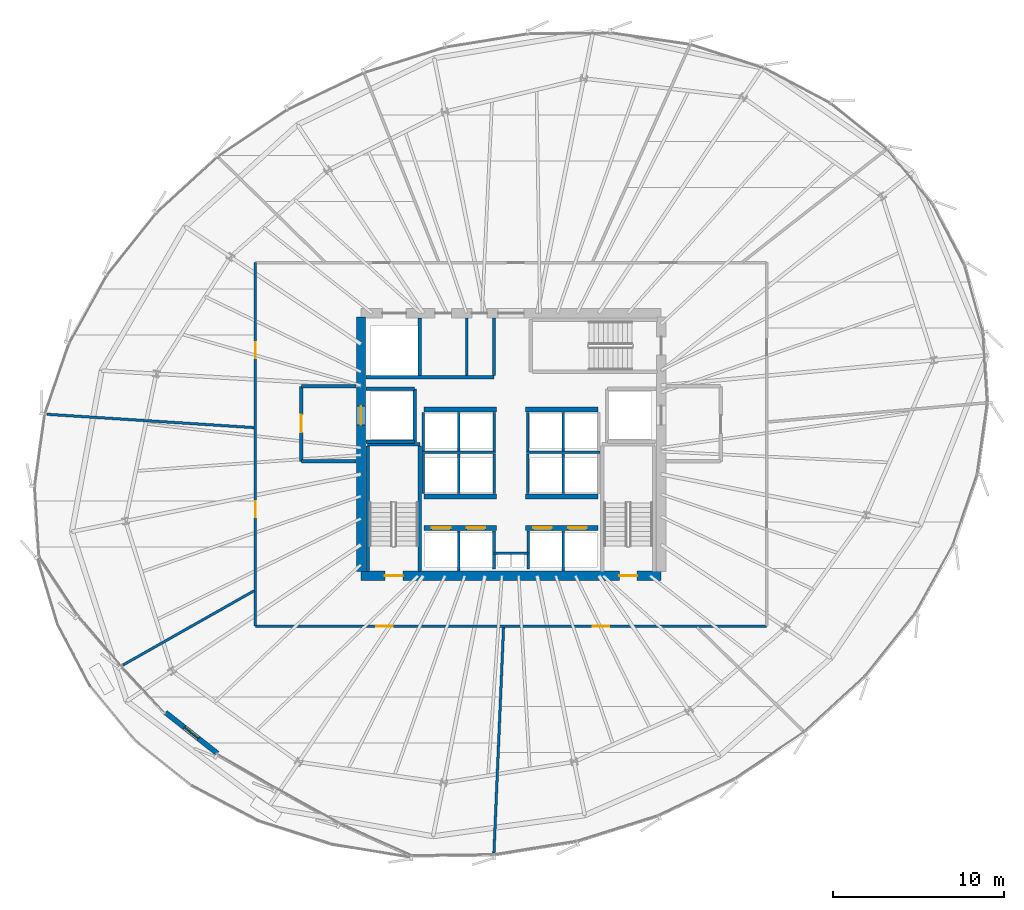
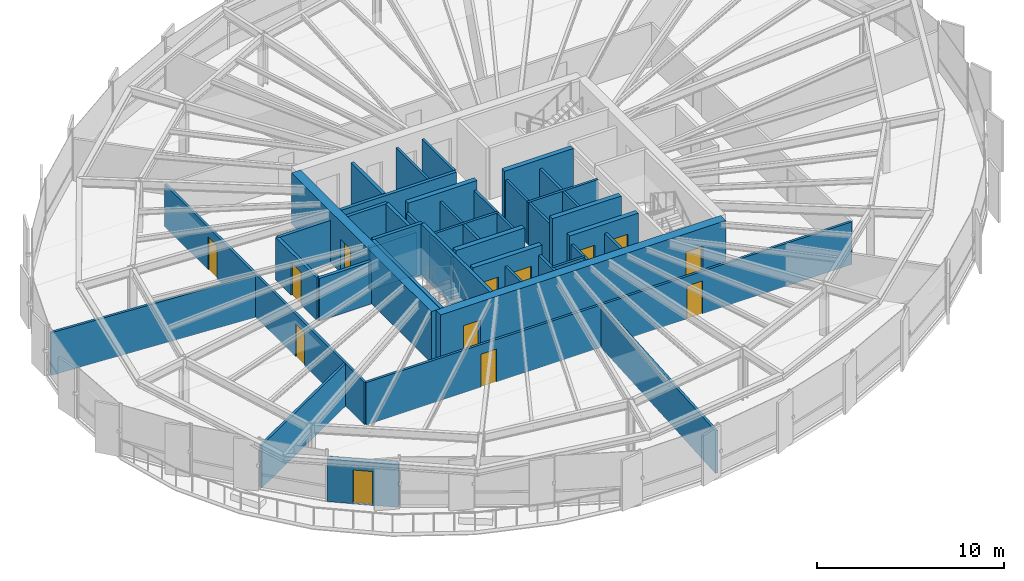
# One storey, part 29 of 35: 44 walls, 13 doors, 13 openings.
"""IFC4 building model written with IfcOpenShell, lengths in metres."""

from ifc_helpers import new_model, si_unit, direction, frame, frame_2d, origin, place, context, subcontext, project, spatial, rectangle, extrude, source, transform, mapped, material, layer, layer_set, type_object, element, fill, save


model = new_model("IFC4")

# Units and contexts
model_context = context("Model", 3, precision=1e-05, world=origin(), true_north=direction((0.0, 1.0)))
body_context = subcontext(model_context, "Body", "Model", "MODEL_VIEW")
ifc_project = project(units=[si_unit("LENGTHUNIT", "METRE"), si_unit("AREAUNIT", "SQUARE_METRE"), si_unit("VOLUMEUNIT", "CUBIC_METRE"), si_unit("PLANEANGLEUNIT", "RADIAN"), si_unit("MASSUNIT", "GRAM", prefix="KILO"), si_unit("THERMODYNAMICTEMPERATUREUNIT", "KELVIN")], contexts=[model_context])

# Site, building, storey
site_placement = place(None, origin())
site = spatial("IfcSite", under=ifc_project, at=site_placement, CompositionType="ELEMENT")
building_placement = place(site_placement, origin())
building = spatial("IfcBuilding", under=site, at=building_placement, Name="Kethvar Cultural Tower", CompositionType="ELEMENT")
storey_placement = place(building_placement, frame((0.0, 0.0, 121.60009765625)))
storey = spatial("IfcBuildingStorey", under=building, at=storey_placement, Name="L30", CompositionType="ELEMENT", Elevation=121.60009765625)

# Wall, openings, doors
ifc_material_1 = material(Name="Concrete C60/75", Category="concrete")
ifc_layer_1 = layer(ifc_material_1, 0.550048828125, Name="Concrete C60/75", Category="concrete")
ifc_layer_set_1 = layer_set([ifc_layer_1], Name="Concrete C60/75 (550 mm)")
wall_type_1 = type_object("IfcWallType", Name="WL-CORE-550", PredefinedType="SHEAR", material=ifc_layer_set_1)
wall_1_placement = place(storey_placement, frame((38.0, 20.10009765625, 0.0), z_axis=(0.0, 0.0, 1.0), x_axis=(1.0, 0.0, 0.0)))
wall_1 = element("IfcWall", 1, at=wall_1_placement, inside=storey, type_object=wall_type_1, Name="L30 Core Shear Wall S", PredefinedType="SHEAR", context=body_context, shape_type="SweptSolid", body=[
    extrude(rectangle(XDim=17.60009765625, YDim=0.550048828125, at=frame_2d((8.800048828125, 0.0))), origin(), (0.0, 0.0, 1.0), 3.349853515625),
])
opening_1_placement = place(wall_1_placement, frame((1.39990234375, 0.0, 0.0)))
opening_1 = element("IfcOpeningElement", 2, at=opening_1_placement, cuts=wall_1, Name="Opening D-L30-S1", PredefinedType="OPENING", context=body_context, shape_type="SweptSolid", body=[
    extrude(rectangle(XDim=1.050048828125, YDim=2.14990234375, at=frame_2d((0.52490234375, 1.074951171875))), frame((0.0, 0.284912109375, 0.0), z_axis=(0.0, -1.0, 0.0), x_axis=(1.0, 0.0, 0.0)), (0.0, 0.0, 1.0), 0.570068359375),
])
opening_2_placement = place(wall_1_placement, frame((15.14990234375, 0.0, 0.0)))
opening_2 = element("IfcOpeningElement", 3, at=opening_2_placement, cuts=wall_1, Name="Opening D-L30-ST2", PredefinedType="OPENING", context=body_context, shape_type="SweptSolid", body=[
    extrude(rectangle(XDim=1.050048828125, YDim=2.14990234375, at=frame_2d((0.52490234375, 1.074951171875))), frame((0.0, 0.284912109375, 0.0), z_axis=(0.0, -1.0, 0.0), x_axis=(1.0, 0.0, 0.0)), (0.0, 0.0, 1.0), 0.570068359375),
])
ifc_material_2 = material(Name="Steel S355J2", Category="steel")
door_type_1 = type_object("IfcDoorType", Name="DR-FD60-1050", OperationType="NOTDEFINED", PredefinedType="DOOR", material=ifc_material_2)
shared_shape_1 = source(origin(), body_context, "Body", "SweptSolid", [
    extrude(rectangle(XDim=1.050048828125, YDim=2.14990234375, at=frame_2d((0.52490234375, 1.074951171875))), frame((0.0, 0.02490234375, 0.0), z_axis=(0.0, -1.0, 0.0), x_axis=(1.0, 0.0, 0.0)), (0.0, 0.0, 1.0), 0.050048828125),
])
door_1_placement = place(opening_1_placement, origin())
door_1 = element("IfcDoor", 4, at=door_1_placement, inside=storey, type_object=door_type_1, Name="L30 Exit Stair 1 Door", OperationType="SINGLE_SWING_LEFT", OverallHeight=2.14990234375, OverallWidth=1.050048828125, PredefinedType="DOOR", context=body_context, shape_type="MappedRepresentation", body=[
    mapped(shared_shape_1, transform((0.0, 0.0, 0.0), scale=1.0)),
])
fill(opening_1, door_1)
door_2_placement = place(opening_2_placement, origin())
door_2 = element("IfcDoor", 5, at=door_2_placement, inside=storey, type_object=door_type_1, Name="L30 Exit Stair 2 Door", OperationType="SINGLE_SWING_RIGHT", OverallHeight=2.14990234375, OverallWidth=1.050048828125, PredefinedType="DOOR", context=body_context, shape_type="MappedRepresentation", body=[
    mapped(shared_shape_1, transform((0.0, 0.0, 0.0), scale=1.0)),
])
fill(opening_2, door_2)

# Wall, opening, door
wall_2_placement = place(storey_placement, frame((38.0, 35.260009765625, 0.0), z_axis=(0.0, 0.0, 1.0), x_axis=(0.0, -1.0, 0.0)))
wall_2 = element("IfcWall", 6, at=wall_2_placement, inside=storey, type_object=wall_type_1, Name="L30 Core Shear Wall W", PredefinedType="SHEAR", context=body_context, shape_type="SweptSolid", body=[
    extrude(rectangle(XDim=14.919921875, YDim=0.550048828125, at=frame_2d((7.4599609375, 0.0))), origin(), (0.0, 0.0, 1.0), 3.349853515625),
])
opening_3_placement = place(wall_2_placement, frame((5.2099609375, 0.0, 0.0)))
opening_3 = element("IfcOpeningElement", 7, at=opening_3_placement, cuts=wall_2, Name="Opening LD-1", PredefinedType="OPENING", context=body_context, shape_type="SweptSolid", body=[
    extrude(rectangle(XDim=1.10009765625, YDim=2.199951171875, at=frame_2d((0.550048828125, 1.10009765625))), frame((0.0, 0.284912109375, 0.0), z_axis=(0.0, -1.0, 0.0), x_axis=(1.0, 0.0, 0.0)), (0.0, 0.0, 1.0), 0.570068359375),
])
door_type_2 = type_object("IfcDoorType", Name="DR-LIFT-SLIDE-1100", OperationType="NOTDEFINED", PredefinedType="DOOR", material=ifc_material_2)
shared_shape_2 = source(origin(), body_context, "Body", "SweptSolid", [
    extrude(rectangle(XDim=1.10009765625, YDim=2.199951171875, at=frame_2d((0.550048828125, 1.10009765625))), frame((0.0, 0.02490234375, 0.0), z_axis=(0.0, -1.0, 0.0), x_axis=(1.0, 0.0, 0.0)), (0.0, 0.0, 1.0), 0.050048828125),
])
door_3_placement = place(opening_3_placement, origin())
door_3 = element("IfcDoor", 8, at=door_3_placement, inside=storey, type_object=door_type_2, Name="L30 Firefighting Lift Landing Door FFL-01", OperationType="SLIDING_TO_LEFT", OverallHeight=2.199951171875, OverallWidth=1.10009765625, PredefinedType="DOOR", context=body_context, shape_type="MappedRepresentation", body=[
    mapped(shared_shape_2, transform((0.0, 0.0, 0.0), scale=1.0)),
])
fill(opening_3, door_3)

ifc_material_3 = material(Name="Concrete C40/50", Category="concrete")
ifc_layer_2 = layer(ifc_material_3, 0.300048828125, Name="Concrete C40/50", Category="concrete")
ifc_layer_set_2 = layer_set([ifc_layer_2], Name="Concrete C40/50 (300 mm)")
wall_type_2 = type_object("IfcWallType", Name="WL-EXT-TER-300", PredefinedType="SOLIDWALL", material=ifc_layer_set_2)
wall_3_placement = place(storey_placement, frame((29.576416015625, 9.67626953125, 0.0), z_axis=(0.0, 0.0, 1.0), x_axis=(-0.785037813556, 0.61944784388, 0.0)))
wall_3 = element("IfcWall", 9, at=wall_3_placement, inside=storey, type_object=wall_type_2, Name="L30 Sky Terrace Access Wall", PredefinedType="SOLIDWALL", context=body_context, shape_type="SweptSolid", body=[
    extrude(rectangle(XDim=3.86865234375, YDim=0.300048828125, at=frame_2d((1.934326171875, 0.0))), origin(), (0.0, 0.0, 1.0), 2.77490234375),
])
opening_4_placement = place(wall_3_placement, frame((1.409423828125, 0.0, 0.0)))
opening_4 = element("IfcOpeningElement", 10, at=opening_4_placement, cuts=wall_3, Name="Opening D-L30-T1", PredefinedType="OPENING", context=body_context, shape_type="SweptSolid", body=[
    extrude(rectangle(XDim=1.050048828125, YDim=2.199951171875, at=frame_2d((0.52490234375, 1.10009765625))), frame((0.0, 0.159912109375, 0.0), z_axis=(0.0, -1.0, 0.0), x_axis=(1.0, 0.0, 0.0)), (0.0, 0.0, 1.0), 0.320068359375),
])
ifc_material_4 = material(Name="Aluminium 6063-T6", Category="aluminium")
door_type_3 = type_object("IfcDoorType", Name="DR-EXT-TER-1050", OperationType="NOTDEFINED", PredefinedType="DOOR", material=ifc_material_4)
shared_shape_3 = source(origin(), body_context, "Body", "SweptSolid", [
    extrude(rectangle(XDim=1.050048828125, YDim=2.199951171875, at=frame_2d((0.52490234375, 1.10009765625))), frame((0.0, 0.02490234375, 0.0), z_axis=(0.0, -1.0, 0.0), x_axis=(1.0, 0.0, 0.0)), (0.0, 0.0, 1.0), 0.050048828125),
])
door_4_placement = place(opening_4_placement, origin())
door_4 = element("IfcDoor", 11, at=door_4_placement, inside=storey, type_object=door_type_3, Name="L30 Sky Terrace Access Door D-L30-T1", OperationType="SINGLE_SWING_LEFT", OverallHeight=2.199951171875, OverallWidth=1.050048828125, PredefinedType="DOOR", context=body_context, shape_type="MappedRepresentation", body=[
    mapped(shared_shape_3, transform((0.0, 0.0, 0.0), scale=1.0)),
])
fill(opening_4, door_4)

# Walls
ifc_material_5 = material(Name="Gypsum Fireboard Partition")
ifc_layer_3 = layer(ifc_material_5, 0.14990234375, Name="Gypsum Fireboard Partition")
ifc_layer_set_3 = layer_set([ifc_layer_3], Name="Gypsum Fireboard Partition (150 mm)")
wall_type_3 = type_object("IfcWallType", Name="WL-FIRE-150", PredefinedType="PARTITIONING", material=ifc_layer_set_3)
wall_4_placement = place(storey_placement, frame((45.800048828125, 21.419921875, 0.0), z_axis=(0.0, 0.0, 1.0), x_axis=(1.0, 0.0, 0.0)))
element("IfcWall", 12, at=wall_4_placement, inside=storey, type_object=wall_type_3, Name="L30 Core Riser Wall", PredefinedType="PARTITIONING", context=body_context, shape_type="SweptSolid", body=[
    extrude(rectangle(XDim=2.0, YDim=0.14990234375, at=frame_2d((1.0, 0.0))), origin(), (0.0, 0.0, 1.0), 2.77490234375),
])
for number, where, z_axis, x_axis, name in (
    (13, (45.800048828125, 20.47998046875, 0.0), (0.0, 0.0, 1.0), (0.0, 1.0, 0.0), "L30 Core Riser West Wall"),
    (14, (47.800048828125, 20.47998046875, 0.0), (0.0, 0.0, 1.0), (0.0, 1.0, 0.0), "L30 Core Riser East Wall"),
):
    element("IfcWall", number, at=place(storey_placement, frame(where, z_axis=z_axis, x_axis=x_axis)), inside=storey, type_object=wall_type_3, Name=name, PredefinedType="PARTITIONING", context=body_context, shape_type="SweptSolid", body=[
        extrude(rectangle(XDim=2.239990234375, YDim=0.14990234375, at=frame_2d((1.1201171875, 0.0))), origin(), (0.0, 0.0, 1.0), 2.77490234375),
    ])
for number, where, z_axis, x_axis, name in (
    (15, (43.72509765625, 20.385009765625, 0.0), (0.0, 0.0, 1.0), (0.0, 1.0, 0.0), "L30 Low-Rise Lift Shaft Divider W"),
    (16, (49.875, 20.385009765625, 0.0), (0.0, 0.0, 1.0), (0.0, 1.0, 0.0), "L30 Low-Rise Lift Shaft Divider E"),
):
    element("IfcWall", number, at=place(storey_placement, frame(where, z_axis=z_axis, x_axis=x_axis)), inside=storey, type_object=wall_type_3, Name=name, PredefinedType="PARTITIONING", context=body_context, shape_type="SweptSolid", body=[
        extrude(rectangle(XDim=2.344970703125, YDim=0.14990234375, at=frame_2d((1.17236328125, 0.0))), origin(), (0.0, 0.0, 1.0), 2.77490234375),
    ])
wall_5_placement = place(storey_placement, frame((41.580078125, 27.324951171875, 0.0), z_axis=(0.0, 0.0, 1.0), x_axis=(1.0, 0.0, 0.0)))
element("IfcWall", 17, at=wall_5_placement, inside=storey, type_object=wall_type_3, Name="L30 Mid-High Lift Shaft Back Wall W", PredefinedType="PARTITIONING", context=body_context, shape_type="SweptSolid", body=[
    extrude(rectangle(XDim=4.31982421875, YDim=0.14990234375, at=frame_2d((2.159912109375, 0.0))), origin(), (0.0, 0.0, 1.0), 2.77490234375),
])
wall_6_placement = place(storey_placement, frame((47.699951171875, 27.324951171875, 0.0), z_axis=(0.0, 0.0, 1.0), x_axis=(1.0, 0.0, 0.0)))
element("IfcWall", 18, at=wall_6_placement, inside=storey, type_object=wall_type_3, Name="L30 Mid-High Lift Shaft Back Wall E", PredefinedType="PARTITIONING", context=body_context, shape_type="SweptSolid", body=[
    extrude(rectangle(XDim=4.320068359375, YDim=0.14990234375, at=frame_2d((2.16015625, 0.0))), origin(), (0.0, 0.0, 1.0), 2.77490234375),
])
for number, where, z_axis, x_axis, name in (
    (19, (41.64990234375, 24.919921875, 0.0), (0.0, 0.0, 1.0), (0.0, 1.0, 0.0), "L30 Mid-Rise Lift Shaft Outer Wall W"),
    (20, (43.72509765625, 24.919921875, 0.0), (0.0, 0.0, 1.0), (0.0, 1.0, 0.0), "L30 Mid-Rise Lift Shaft Divider W"),
    (21, (45.824951171875, 24.919921875, 0.0), (0.0, 0.0, 1.0), (0.0, 1.0, 0.0), "L30 Mid-Rise Lift Shaft Concourse Wall W"),
    (22, (47.77490234375, 24.919921875, 0.0), (0.0, 0.0, 1.0), (0.0, 1.0, 0.0), "L30 Mid-Rise Lift Shaft Concourse Wall E"),
    (23, (49.875, 24.919921875, 0.0), (0.0, 0.0, 1.0), (0.0, 1.0, 0.0), "L30 Mid-Rise Lift Shaft Divider E"),
):
    element("IfcWall", number, at=place(storey_placement, frame(where, z_axis=z_axis, x_axis=x_axis)), inside=storey, type_object=wall_type_3, Name=name, PredefinedType="PARTITIONING", context=body_context, shape_type="SweptSolid", body=[
        extrude(rectangle(XDim=2.320068359375, YDim=0.14990234375, at=frame_2d((1.16015625, 0.0))), origin(), (0.0, 0.0, 1.0), 2.77490234375),
    ])
for number, where, z_axis, x_axis, name in (
    (24, (41.64990234375, 27.409912109375, 0.0), (0.0, 0.0, 1.0), (0.0, 1.0, 0.0), "L30 High-Rise Lift Shaft Outer Wall W"),
    (25, (43.72509765625, 27.409912109375, 0.0), (0.0, 0.0, 1.0), (0.0, 1.0, 0.0), "L30 High-Rise Lift Shaft Divider W"),
    (26, (45.824951171875, 27.409912109375, 0.0), (0.0, 0.0, 1.0), (0.0, 1.0, 0.0), "L30 High-Rise Lift Shaft Concourse Wall W"),
    (27, (47.77490234375, 27.409912109375, 0.0), (0.0, 0.0, 1.0), (0.0, 1.0, 0.0), "L30 High-Rise Lift Shaft Concourse Wall E"),
    (28, (49.875, 27.409912109375, 0.0), (0.0, 0.0, 1.0), (0.0, 1.0, 0.0), "L30 High-Rise Lift Shaft Divider E"),
):
    element("IfcWall", number, at=place(storey_placement, frame(where, z_axis=z_axis, x_axis=x_axis)), inside=storey, type_object=wall_type_3, Name=name, PredefinedType="PARTITIONING", context=body_context, shape_type="SweptSolid", body=[
        extrude(rectangle(XDim=2.27001953125, YDim=0.14990234375, at=frame_2d((1.135009765625, 0.0))), origin(), (0.0, 0.0, 1.0), 2.77490234375),
    ])
wall_7_placement = place(storey_placement, frame((45.800048828125, 31.85009765625, 0.0), z_axis=(0.0, 0.0, 1.0), x_axis=(0.0, 1.0, 0.0)))
element("IfcWall", 29, at=wall_7_placement, inside=storey, type_object=wall_type_3, Name="L30 Sanitary Spine Wall", PredefinedType="PARTITIONING", context=body_context, shape_type="SweptSolid", body=[
    extrude(rectangle(XDim=3.364990234375, YDim=0.14990234375, at=frame_2d((1.6826171875, 0.0))), origin(), (0.0, 0.0, 1.0), 2.77490234375),
])

# Wall, openings, doors
wall_8_placement = place(storey_placement, frame((31.81005859375, 17.139892578125, 0.0), z_axis=(0.0, 0.0, 1.0), x_axis=(1.0, 0.0, 0.0)))
wall_8 = element("IfcWall", 30, at=wall_8_placement, inside=storey, type_object=wall_type_3, Name="L30 Corridor Rated Wall S", PredefinedType="PARTITIONING", context=body_context, shape_type="SweptSolid", body=[
    extrude(rectangle(XDim=29.97998046875, YDim=0.14990234375, at=frame_2d((14.989990234375, 0.0))), origin(), (0.0, 0.0, 1.0), 2.77490234375),
])
opening_5_placement = place(wall_8_placement, frame((7.092041015625, 0.0, 0.0)))
opening_5 = element("IfcOpeningElement", 31, at=opening_5_placement, cuts=wall_8, Name="Opening D-L30-01", PredefinedType="OPENING", context=body_context, shape_type="SweptSolid", body=[
    extrude(rectangle(XDim=0.949951171875, YDim=2.14990234375, at=frame_2d((0.47509765625, 1.074951171875))), frame((0.0, 0.0849609375, 0.0), z_axis=(0.0, -1.0, 0.0), x_axis=(1.0, 0.0, 0.0)), (0.0, 0.0, 1.0), 0.169921875),
])
opening_6_placement = place(wall_8_placement, frame((19.78857421875, 0.0, 0.0)))
opening_6 = element("IfcOpeningElement", 32, at=opening_6_placement, cuts=wall_8, Name="Opening D-L30-02", PredefinedType="OPENING", context=body_context, shape_type="SweptSolid", body=[
    extrude(rectangle(XDim=0.949951171875, YDim=2.14990234375, at=frame_2d((0.47509765625, 1.074951171875))), frame((0.0, 0.0849609375, 0.0), z_axis=(0.0, -1.0, 0.0), x_axis=(1.0, 0.0, 0.0)), (0.0, 0.0, 1.0), 0.169921875),
])
ifc_material_6 = material(Name="Architectural Oak Timber", Category="wood")
door_type_4 = type_object("IfcDoorType", Name="DR-FD30-950", OperationType="NOTDEFINED", PredefinedType="DOOR", material=ifc_material_6)
shared_shape_4 = source(origin(), body_context, "Body", "SweptSolid", [
    extrude(rectangle(XDim=0.949951171875, YDim=2.14990234375, at=frame_2d((0.47509765625, 1.074951171875))), frame((0.0, 0.02490234375, 0.0), z_axis=(0.0, -1.0, 0.0), x_axis=(1.0, 0.0, 0.0)), (0.0, 0.0, 1.0), 0.050048828125),
])
door_5_placement = place(opening_5_placement, origin())
door_5 = element("IfcDoor", 33, at=door_5_placement, inside=storey, type_object=door_type_4, Name="L30 Exhibition Print Shop 01 Door", OperationType="SINGLE_SWING_LEFT", OverallHeight=2.14990234375, OverallWidth=0.949951171875, PredefinedType="DOOR", context=body_context, shape_type="MappedRepresentation", body=[
    mapped(shared_shape_4, transform((0.0, 0.0, 0.0), scale=1.0)),
])
fill(opening_5, door_5)
door_6_placement = place(opening_6_placement, origin())
door_6 = element("IfcDoor", 34, at=door_6_placement, inside=storey, type_object=door_type_4, Name="L30 Art Monograph Boutique 02 Door", OperationType="SINGLE_SWING_RIGHT", OverallHeight=2.14990234375, OverallWidth=0.949951171875, PredefinedType="DOOR", context=body_context, shape_type="MappedRepresentation", body=[
    mapped(shared_shape_4, transform((0.0, 0.0, 0.0), scale=1.0)),
])
fill(opening_6, door_6)

wall_9_placement = place(storey_placement, frame((31.81005859375, 38.4599609375, 0.0), z_axis=(0.0, 0.0, 1.0), x_axis=(0.0, -1.0, 0.0)))
wall_9 = element("IfcWall", 35, at=wall_9_placement, inside=storey, type_object=wall_type_3, Name="L30 Corridor Rated Wall W", PredefinedType="PARTITIONING", context=body_context, shape_type="SweptSolid", body=[
    extrude(rectangle(XDim=21.320068359375, YDim=0.14990234375, at=frame_2d((10.66015625, 0.0))), origin(), (0.0, 0.0, 1.0), 2.77490234375),
])
opening_7_placement = place(wall_9_placement, frame((4.656494140625, 0.0, 0.0)))
opening_7 = element("IfcOpeningElement", 36, at=opening_7_placement, cuts=wall_9, Name="Opening D-L30-08", PredefinedType="OPENING", context=body_context, shape_type="SweptSolid", body=[
    extrude(rectangle(XDim=0.949951171875, YDim=2.14990234375, at=frame_2d((0.47509765625, 1.074951171875))), frame((0.0, 0.0849609375, 0.0), z_axis=(0.0, -1.0, 0.0), x_axis=(1.0, 0.0, 0.0)), (0.0, 0.0, 1.0), 0.169921875),
])
opening_8_placement = place(wall_9_placement, frame((13.989013671875, 0.0, 0.0)))
opening_8 = element("IfcOpeningElement", 37, at=opening_8_placement, cuts=wall_9, Name="Opening D-L30-09", PredefinedType="OPENING", context=body_context, shape_type="SweptSolid", body=[
    extrude(rectangle(XDim=0.949951171875, YDim=2.14990234375, at=frame_2d((0.47509765625, 1.074951171875))), frame((0.0, 0.0849609375, 0.0), z_axis=(0.0, -1.0, 0.0), x_axis=(1.0, 0.0, 0.0)), (0.0, 0.0, 1.0), 0.169921875),
])
door_7_placement = place(opening_7_placement, origin())
door_7 = element("IfcDoor", 38, at=door_7_placement, inside=storey, type_object=door_type_4, Name="L30 Docent Espresso Pantry 08 Door", OperationType="SINGLE_SWING_RIGHT", OverallHeight=2.14990234375, OverallWidth=0.949951171875, PredefinedType="DOOR", context=body_context, shape_type="MappedRepresentation", body=[
    mapped(shared_shape_4, transform((0.0, 0.0, 0.0), scale=1.0)),
])
fill(opening_7, door_7)
door_8_placement = place(opening_8_placement, origin())
door_8 = element("IfcDoor", 39, at=door_8_placement, inside=storey, type_object=door_type_4, Name="L30 Scholars' Den Lounge 09 Door", OperationType="SINGLE_SWING_LEFT", OverallHeight=2.14990234375, OverallWidth=0.949951171875, PredefinedType="DOOR", context=body_context, shape_type="MappedRepresentation", body=[
    mapped(shared_shape_4, transform((0.0, 0.0, 0.0), scale=1.0)),
])
fill(opening_8, door_8)

# Walls
ifc_layer_4 = layer(ifc_material_3, 0.199951171875, Name="Concrete C40/50", Category="concrete")
ifc_layer_set_4 = layer_set([ifc_layer_4], Name="Concrete C40/50 (200 mm)")
wall_type_4 = type_object("IfcWallType", Name="WL-FIRE-200", PredefinedType="PARTITIONING", material=ifc_layer_set_4)
wall_10_placement = place(storey_placement, frame((41.14990234375, 27.949951171875, 0.0), z_axis=(0.0, 0.0, 1.0), x_axis=(0.0, 1.0, 0.0)))
element("IfcWall", 40, at=wall_10_placement, inside=storey, type_object=wall_type_4, Name="L30 FFL-01 Shaft Inner Wall", PredefinedType="PARTITIONING", context=body_context, shape_type="SweptSolid", body=[
    extrude(rectangle(XDim=3.10009765625, YDim=0.199951171875, at=frame_2d((1.550048828125, 0.0))), origin(), (0.0, 0.0, 1.0), 2.77490234375),
])
for number, where, z_axis, x_axis, name in (
    (41, (38.284912109375, 27.949951171875, 0.0), (0.0, 0.0, 1.0), (1.0, 0.0, 0.0), "L30 FFL-01 Shaft South Wall"),
    (42, (38.284912109375, 31.050048828125, 0.0), (0.0, 0.0, 1.0), (1.0, 0.0, 0.0), "L30 FFL-01 Shaft North Wall"),
):
    element("IfcWall", number, at=place(storey_placement, frame(where, z_axis=z_axis, x_axis=x_axis)), inside=storey, type_object=wall_type_4, Name=name, PredefinedType="PARTITIONING", context=body_context, shape_type="SweptSolid", body=[
        extrude(rectangle(XDim=2.864990234375, YDim=0.199951171875, at=frame_2d((1.4326171875, 0.0))), origin(), (0.0, 0.0, 1.0), 2.77490234375),
    ])

# Wall, opening, door
wall_11_placement = place(storey_placement, frame((34.5, 31.199951171875, 0.0), z_axis=(0.0, 0.0, 1.0), x_axis=(0.0, -1.0, 0.0)))
wall_11 = element("IfcWall", 43, at=wall_11_placement, inside=storey, type_object=wall_type_4, Name="L30 Firefighting Lobby 1 Wall", PredefinedType="PARTITIONING", context=body_context, shape_type="SweptSolid", body=[
    extrude(rectangle(XDim=4.39990234375, YDim=0.199951171875, at=frame_2d((2.199951171875, 0.0))), origin(), (0.0, 0.0, 1.0), 2.77490234375),
])
opening_9_placement = place(wall_11_placement, frame((1.64990234375, 0.0, 0.0)))
opening_9 = element("IfcOpeningElement", 44, at=opening_9_placement, cuts=wall_11, Name="Opening D-L30-F1", PredefinedType="OPENING", context=body_context, shape_type="SweptSolid", body=[
    extrude(rectangle(XDim=1.050048828125, YDim=2.14990234375, at=frame_2d((0.52490234375, 1.074951171875))), frame((0.0, 0.10986328125, 0.0), z_axis=(0.0, -1.0, 0.0), x_axis=(1.0, 0.0, 0.0)), (0.0, 0.0, 1.0), 0.219970703125),
])
door_9_placement = place(opening_9_placement, origin())
door_9 = element("IfcDoor", 45, at=door_9_placement, inside=storey, type_object=door_type_1, Name="L30 Firefighting Lobby 1 Fire Door", OperationType="SINGLE_SWING_LEFT", OverallHeight=2.14990234375, OverallWidth=1.050048828125, PredefinedType="DOOR", context=body_context, shape_type="MappedRepresentation", body=[
    mapped(shared_shape_1, transform((0.0, 0.0, 0.0), scale=1.0)),
])
fill(opening_9, door_9)

# Walls
for number, where, z_axis, x_axis, name in (
    (46, (34.5, 26.800048828125, 0.0), (0.0, 0.0, 1.0), (1.0, 0.0, 0.0), "L30 FF Lobby 1 South Wall"),
    (47, (34.5, 31.199951171875, 0.0), (0.0, 0.0, 1.0), (1.0, 0.0, 0.0), "L30 FF Lobby 1 North Wall"),
):
    element("IfcWall", number, at=place(storey_placement, frame(where, z_axis=z_axis, x_axis=x_axis)), inside=storey, type_object=wall_type_4, Name=name, PredefinedType="PARTITIONING", context=body_context, shape_type="SweptSolid", body=[
        extrude(rectangle(XDim=3.215087890625, YDim=0.199951171875, at=frame_2d((1.607421875, 0.0))), origin(), (0.0, 0.0, 1.0), 2.77490234375),
    ])
wall_12_placement = place(storey_placement, frame((41.449951171875, 31.85009765625, 0.0), z_axis=(0.0, 0.0, 1.0), x_axis=(0.0, 1.0, 0.0)))
element("IfcWall", 48, at=wall_12_placement, inside=storey, type_object=wall_type_4, Name="L30 NW Core Pocket Wall", PredefinedType="PARTITIONING", context=body_context, shape_type="SweptSolid", body=[
    extrude(rectangle(XDim=3.364990234375, YDim=0.199951171875, at=frame_2d((1.6826171875, 0.0))), origin(), (0.0, 0.0, 1.0), 2.77490234375),
])
wall_13_placement = place(storey_placement, frame((38.284912109375, 31.72998046875, 0.0), z_axis=(0.0, 0.0, 1.0), x_axis=(1.0, 0.0, 0.0)))
element("IfcWall", 49, at=wall_13_placement, inside=storey, type_object=wall_type_4, Name="L30 North Core Sanitary South Wall", PredefinedType="PARTITIONING", context=body_context, shape_type="SweptSolid", body=[
    extrude(rectangle(XDim=7.51513671875, YDim=0.199951171875, at=frame_2d((3.757568359375, 0.0))), origin(), (0.0, 0.0, 1.0), 2.77490234375),
])
ifc_material_7 = material(Name="Gypsum Acoustic Partition")
ifc_layer_5 = layer(ifc_material_7, 0.14990234375, Name="Gypsum Acoustic Partition")
ifc_layer_set_5 = layer_set([ifc_layer_5], Name="Gypsum Acoustic Partition (150 mm)")
wall_type_5 = type_object("IfcWallType", Name="WL-PART-150", PredefinedType="PARTITIONING", material=ifc_layer_set_5)
wall_14_placement = place(storey_placement, frame((31.740478515625, 19.217529296875, 0.0), z_axis=(0.0, 0.0, 1.0), x_axis=(-0.870240569148, -0.492626990541, 0.0)))
element("IfcWall", 50, at=wall_14_placement, inside=storey, type_object=wall_type_5, Name="L30 Radial Partition Wall 01", PredefinedType="PARTITIONING", context=body_context, shape_type="SweptSolid", body=[
    extrude(rectangle(XDim=8.851806640625, YDim=0.14990234375, at=frame_2d((4.42578125, 0.0))), origin(), (0.0, 0.0, 1.0), 2.77490234375),
])
wall_15_placement = place(storey_placement, frame((46.36083984375, 17.06005859375, 0.0), z_axis=(0.0, 0.0, 1.0), x_axis=(-0.042543332011, -0.999094622597, 0.0)))
element("IfcWall", 51, at=wall_15_placement, inside=storey, type_object=wall_type_5, Name="L30 Radial Partition Wall 02", PredefinedType="PARTITIONING", context=body_context, shape_type="SweptSolid", body=[
    extrude(rectangle(XDim=13.2275390625, YDim=0.14990234375, at=frame_2d((6.61376953125, 0.0))), origin(), (0.0, 0.0, 1.0), 2.77490234375),
])
wall_16_placement = place(storey_placement, frame((31.730224609375, 28.781982421875, 0.0), z_axis=(0.0, 0.0, 1.0), x_axis=(-0.997929833936, 0.064312102605, 0.0)))
element("IfcWall", 52, at=wall_16_placement, inside=storey, type_object=wall_type_5, Name="L30 Radial Partition Wall 09", PredefinedType="PARTITIONING", context=body_context, shape_type="SweptSolid", body=[
    extrude(rectangle(XDim=12.181884765625, YDim=0.14990234375, at=frame_2d((6.0908203125, 0.0))), origin(), (0.0, 0.0, 1.0), 2.77490234375),
])
ifc_material_8 = material(Name="Moisture-Resistant Sanitary Chase Wall")
ifc_layer_6 = layer(ifc_material_8, 0.14990234375, Name="Moisture-Resistant Sanitary Chase Wall")
ifc_layer_set_6 = layer_set([ifc_layer_6], Name="Moisture-Resistant Sanitary Chase Wall (150 mm)")
wall_type_6 = type_object("IfcWallType", Name="WL-PLUMB-150", PredefinedType="PLUMBINGWALL", material=ifc_layer_set_6)
wall_17_placement = place(storey_placement, frame((44.199951171875, 31.85009765625, 0.0), z_axis=(0.0, 0.0, 1.0), x_axis=(0.0, 1.0, 0.0)))
element("IfcWall", 53, at=wall_17_placement, inside=storey, type_object=wall_type_6, Name="L30 Sanitary Plumbing Wall", PredefinedType="PLUMBINGWALL", context=body_context, shape_type="SweptSolid", body=[
    extrude(rectangle(XDim=3.364990234375, YDim=0.14990234375, at=frame_2d((1.6826171875, 0.0))), origin(), (0.0, 0.0, 1.0), 2.77490234375),
])

# Wall, openings, doors
ifc_material_9 = material(Name="Concrete C50/60", Category="concrete")
ifc_layer_7 = layer(ifc_material_9, 0.300048828125, Name="Concrete C50/60", Category="concrete")
ifc_layer_set_7 = layer_set([ifc_layer_7], Name="Concrete C50/60 (300 mm)")
wall_type_7 = type_object("IfcWallType", Name="WL-SHAFT-300", PredefinedType="SHEAR", material=ifc_layer_set_7)
wall_18_placement = place(storey_placement, frame((41.699951171875, 22.89990234375, 0.0), z_axis=(0.0, 0.0, 1.0), x_axis=(1.0, 0.0, 0.0)))
wall_18 = element("IfcWall", 54, at=wall_18_placement, inside=storey, type_object=wall_type_7, Name="L30 Core Lift Spine Wall MID1W", PredefinedType="SHEAR", context=body_context, shape_type="SweptSolid", body=[
    extrude(rectangle(XDim=4.25, YDim=0.300048828125, at=frame_2d((2.125, 0.0))), origin(), (0.0, 0.0, 1.0), 3.349853515625),
])
opening_10_placement = place(wall_18_placement, frame((0.449951171875, 0.0, 0.0)))
opening_10 = element("IfcOpeningElement", 55, at=opening_10_placement, cuts=wall_18, Name="Opening LD-L1", PredefinedType="OPENING", context=body_context, shape_type="SweptSolid", body=[
    extrude(rectangle(XDim=1.10009765625, YDim=2.199951171875, at=frame_2d((0.550048828125, 1.10009765625))), frame((0.0, 0.159912109375, 0.0), z_axis=(0.0, -1.0, 0.0), x_axis=(1.0, 0.0, 0.0)), (0.0, 0.0, 1.0), 0.320068359375),
])
opening_11_placement = place(wall_18_placement, frame((2.5, 0.0, 0.0)))
opening_11 = element("IfcOpeningElement", 56, at=opening_11_placement, cuts=wall_18, Name="Opening LD-L2", PredefinedType="OPENING", context=body_context, shape_type="SweptSolid", body=[
    extrude(rectangle(XDim=1.10009765625, YDim=2.199951171875, at=frame_2d((0.550048828125, 1.10009765625))), frame((0.0, 0.159912109375, 0.0), z_axis=(0.0, -1.0, 0.0), x_axis=(1.0, 0.0, 0.0)), (0.0, 0.0, 1.0), 0.320068359375),
])
door_10_placement = place(opening_10_placement, origin())
door_10 = element("IfcDoor", 57, at=door_10_placement, inside=storey, type_object=door_type_2, Name="L30 Low-Rise Lift Landing Door L1", OperationType="SLIDING_TO_LEFT", OverallHeight=2.199951171875, OverallWidth=1.10009765625, PredefinedType="DOOR", context=body_context, shape_type="MappedRepresentation", body=[
    mapped(shared_shape_2, transform((0.0, 0.0, 0.0), scale=1.0)),
])
fill(opening_10, door_10)
door_11_placement = place(opening_11_placement, origin())
door_11 = element("IfcDoor", 58, at=door_11_placement, inside=storey, type_object=door_type_2, Name="L30 Low-Rise Lift Landing Door L2", OperationType="SLIDING_TO_LEFT", OverallHeight=2.199951171875, OverallWidth=1.10009765625, PredefinedType="DOOR", context=body_context, shape_type="MappedRepresentation", body=[
    mapped(shared_shape_2, transform((0.0, 0.0, 0.0), scale=1.0)),
])
fill(opening_11, door_11)

wall_19_placement = place(storey_placement, frame((47.64990234375, 22.89990234375, 0.0), z_axis=(0.0, 0.0, 1.0), x_axis=(1.0, 0.0, 0.0)))
wall_19 = element("IfcWall", 59, at=wall_19_placement, inside=storey, type_object=wall_type_7, Name="L30 Core Lift Spine Wall MID1E", PredefinedType="SHEAR", context=body_context, shape_type="SweptSolid", body=[
    extrude(rectangle(XDim=4.25, YDim=0.300048828125, at=frame_2d((2.125, 0.0))), origin(), (0.0, 0.0, 1.0), 3.349853515625),
])
opening_12_placement = place(wall_19_placement, frame((0.449951171875, 0.0, 0.0)))
opening_12 = element("IfcOpeningElement", 60, at=opening_12_placement, cuts=wall_19, Name="Opening LD-L3", PredefinedType="OPENING", context=body_context, shape_type="SweptSolid", body=[
    extrude(rectangle(XDim=1.10009765625, YDim=2.199951171875, at=frame_2d((0.550048828125, 1.10009765625))), frame((0.0, 0.159912109375, 0.0), z_axis=(0.0, -1.0, 0.0), x_axis=(1.0, 0.0, 0.0)), (0.0, 0.0, 1.0), 0.320068359375),
])
opening_13_placement = place(wall_19_placement, frame((2.5, 0.0, 0.0)))
opening_13 = element("IfcOpeningElement", 61, at=opening_13_placement, cuts=wall_19, Name="Opening LD-L4", PredefinedType="OPENING", context=body_context, shape_type="SweptSolid", body=[
    extrude(rectangle(XDim=1.10009765625, YDim=2.199951171875, at=frame_2d((0.550048828125, 1.10009765625))), frame((0.0, 0.159912109375, 0.0), z_axis=(0.0, -1.0, 0.0), x_axis=(1.0, 0.0, 0.0)), (0.0, 0.0, 1.0), 0.320068359375),
])
door_12_placement = place(opening_12_placement, origin())
door_12 = element("IfcDoor", 62, at=door_12_placement, inside=storey, type_object=door_type_2, Name="L30 Low-Rise Lift Landing Door L3", OperationType="SLIDING_TO_LEFT", OverallHeight=2.199951171875, OverallWidth=1.10009765625, PredefinedType="DOOR", context=body_context, shape_type="MappedRepresentation", body=[
    mapped(shared_shape_2, transform((0.0, 0.0, 0.0), scale=1.0)),
])
fill(opening_12, door_12)
door_13_placement = place(opening_13_placement, origin())
door_13 = element("IfcDoor", 63, at=door_13_placement, inside=storey, type_object=door_type_2, Name="L30 Low-Rise Lift Landing Door L4", OperationType="SLIDING_TO_LEFT", OverallHeight=2.199951171875, OverallWidth=1.10009765625, PredefinedType="DOOR", context=body_context, shape_type="MappedRepresentation", body=[
    mapped(shared_shape_2, transform((0.0, 0.0, 0.0), scale=1.0)),
])
fill(opening_13, door_13)

# Walls
for number, where, z_axis, x_axis, name in (
    (64, (41.699951171875, 24.75, 0.0), (0.0, 0.0, 1.0), (1.0, 0.0, 0.0), "L30 Core Lift Spine Wall MID2W"),
    (65, (47.64990234375, 24.75, 0.0), (0.0, 0.0, 1.0), (1.0, 0.0, 0.0), "L30 Core Lift Spine Wall MID2E"),
    (66, (41.699951171875, 29.85009765625, 0.0), (0.0, 0.0, 1.0), (1.0, 0.0, 0.0), "L30 Core Lift Spine Wall MID3W"),
    (67, (47.64990234375, 29.85009765625, 0.0), (0.0, 0.0, 1.0), (1.0, 0.0, 0.0), "L30 Core Lift Spine Wall MID3E"),
):
    element("IfcWall", number, at=place(storey_placement, frame(where, z_axis=z_axis, x_axis=x_axis)), inside=storey, type_object=wall_type_7, Name=name, PredefinedType="SHEAR", context=body_context, shape_type="SweptSolid", body=[
        extrude(rectangle(XDim=4.25, YDim=0.300048828125, at=frame_2d((2.125, 0.0))), origin(), (0.0, 0.0, 1.0), 3.349853515625),
    ])
ifc_layer_8 = layer(ifc_material_9, 0.199951171875, Name="Concrete C50/60", Category="concrete")
ifc_layer_set_8 = layer_set([ifc_layer_8], Name="Concrete C50/60 (200 mm)")
wall_type_8 = type_object("IfcWallType", Name="WL-STSHAFT-200", PredefinedType="SHEAR", material=ifc_layer_set_8)
wall_20_placement = place(storey_placement, frame((38.389892578125, 27.800048828125, 0.0), z_axis=(0.0, 0.0, 1.0), x_axis=(1.0, 0.0, 0.0)))
element("IfcWall", 68, at=wall_20_placement, inside=storey, type_object=wall_type_8, Name="L30 ST-01 Stair Shaft Wall FAR", PredefinedType="SHEAR", context=body_context, shape_type="SweptSolid", body=[
    extrude(rectangle(XDim=3.06005859375, YDim=0.199951171875, at=frame_2d((1.530029296875, 0.0))), origin(), (0.0, 0.0, 1.0), 3.349853515625),
])
for number, where, z_axis, x_axis, name in (
    (69, (41.449951171875, 27.699951171875, 0.0), (0.0, 0.0, 1.0), (0.0, -1.0, 0.0), "L30 ST-01 Stair Shaft Wall LEFT"),
    (70, (38.389892578125, 20.35009765625, 0.0), (0.0, 0.0, 1.0), (0.0, 1.0, 0.0), "L30 ST-01 Stair Shaft Wall RIGHT"),
):
    element("IfcWall", number, at=place(storey_placement, frame(where, z_axis=z_axis, x_axis=x_axis)), inside=storey, type_object=wall_type_8, Name=name, PredefinedType="SHEAR", context=body_context, shape_type="SweptSolid", body=[
        extrude(rectangle(XDim=7.349853515625, YDim=0.199951171875, at=frame_2d((3.6748046875, 0.0))), origin(), (0.0, 0.0, 1.0), 3.349853515625),
    ])

save(model, "model.ifc")
